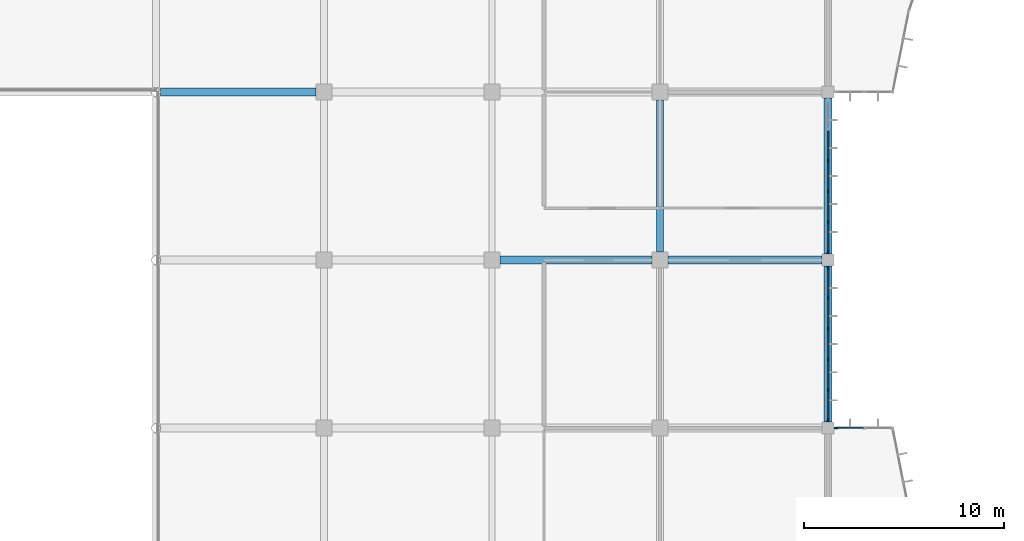
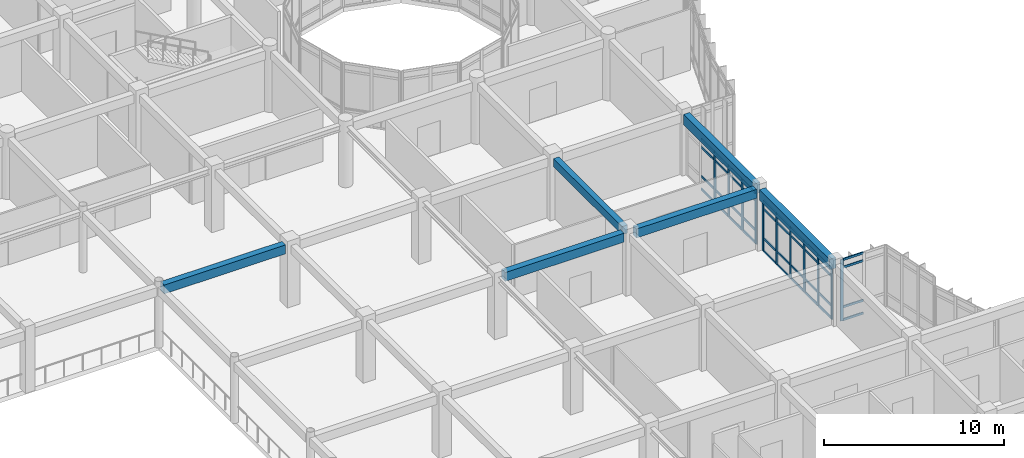
# One storey, part 27 of 144: 51 members, 6 beams, 3 elements without a shape of their own.
"""IFC4 building model written with IfcOpenShell, lengths in metres."""

from ifc_helpers import new_model, si_unit, direction, frame, origin, origin_2d, place, context, subcontext, project, spatial, rectangle, extrude, material, layer, layer_set, material_profile, profile_set, type_object, element, aggregate, save


model = new_model("IFC4")

# Units and contexts
model_context = context("Model", 3, precision=1e-05, world=origin(), true_north=direction((0.0, 1.0)))
body_context = subcontext(model_context, "Body", "Model", "MODEL_VIEW")
ifc_project = project(units=[si_unit("LENGTHUNIT", "METRE"), si_unit("AREAUNIT", "SQUARE_METRE"), si_unit("VOLUMEUNIT", "CUBIC_METRE"), si_unit("PLANEANGLEUNIT", "RADIAN"), si_unit("MASSUNIT", "GRAM", prefix="KILO")], contexts=[model_context])

# Site, building, storey
site_placement = place(None, origin())
site = spatial("IfcSite", under=ifc_project, at=site_placement, CompositionType="ELEMENT")
building_placement = place(site_placement, origin())
building = spatial("IfcBuilding", under=site, at=building_placement, Name="Bramfleet General Hospital", CompositionType="ELEMENT")
storey_placement = place(building_placement, frame((0.0, 0.0, 4.800048828125)))
storey = spatial("IfcBuildingStorey", under=building, at=storey_placement, Name="L01", CompositionType="ELEMENT", Elevation=4.800048828125)

# Beams
ifc_material_1 = material(Name="Concrete C35/45", Category="concrete")
ifc_material_profile_1 = material_profile(ifc_material_1, rectangle(XDim=0.35009765625, YDim=0.550048828125, at=origin_2d()), Name="RC BM 550x350")
ifc_profile_set_1 = profile_set([ifc_material_profile_1], Name="Concrete C35/45")
beam_type_1 = type_object("IfcBeamType", Name="BM-RC550", PredefinedType="BEAM", material=ifc_profile_set_1)
beam_1_placement = place(storey_placement, frame((117.60009765625, 42.39990234375, 3.875), z_axis=(0.0, 1.0, 0.0), x_axis=(-1.0, 0.0, 0.0)))
element("IfcBeam", 1, at=beam_1_placement, inside=storey, type_object=beam_type_1, Name="L01 Grid Beam Y 14-05", PredefinedType="BEAM", context=body_context, shape_type="SweptSolid", body=[
    extrude(rectangle(XDim=0.35009765625, YDim=0.550048828125, at=origin_2d()), origin(), (0.0, 0.0, 1.0), 7.60009765625),
])
ifc_material_profile_2 = material_profile(ifc_material_1, rectangle(XDim=0.39990234375, YDim=0.60009765625, at=origin_2d()), Name="RC BM 600x400")
ifc_profile_set_2 = profile_set([ifc_material_profile_2], Name="Concrete C35/45")
beam_type_2 = type_object("IfcBeamType", Name="BM-RC600", PredefinedType="BEAM", material=ifc_profile_set_2)
beam_2_placement = place(storey_placement, frame((92.62841796875, 50.39990234375, 3.849853515625), z_axis=(1.0, 0.0, 0.0), x_axis=(0.0, 1.0, 0.0)))
element("IfcBeam", 2, at=beam_2_placement, inside=storey, type_object=beam_type_2, Name="L01 Grid Beam X 11-06", PredefinedType="BEAM", context=body_context, shape_type="SweptSolid", body=[
    extrude(rectangle(XDim=0.39990234375, YDim=0.60009765625, at=origin_2d()), origin(), (0.0, 0.0, 1.0), 7.771484375),
])
beam_3_placement = place(storey_placement, frame((109.60009765625, 42.0, 3.849853515625), z_axis=(1.0, 0.0, 0.0), x_axis=(0.0, 1.0, 0.0)))
element("IfcBeam", 3, at=beam_3_placement, inside=storey, type_object=beam_type_2, Name="L01 Grid Beam X 13-05", PredefinedType="BEAM", context=body_context, shape_type="SweptSolid", body=[
    extrude(rectangle(XDim=0.39990234375, YDim=0.60009765625, at=origin_2d()), origin(), (0.0, 0.0, 1.0), 7.599853515625),
])
beam_4_placement = place(storey_placement, frame((118.0, 42.0, 3.849853515625), z_axis=(1.0, 0.0, 0.0), x_axis=(0.0, 1.0, 0.0)))
element("IfcBeam", 4, at=beam_4_placement, inside=storey, type_object=beam_type_2, Name="L01 Grid Beam X 14-05", PredefinedType="BEAM", context=body_context, shape_type="SweptSolid", body=[
    extrude(rectangle(XDim=0.39990234375, YDim=0.60009765625, at=origin_2d()), origin(), (0.0, 0.0, 1.0), 7.699951171875),
])
ifc_material_profile_3 = material_profile(ifc_material_1, rectangle(XDim=0.39990234375, YDim=0.699951171875, at=origin_2d()), Name="RC SP 700x400")
ifc_profile_set_3 = profile_set([ifc_material_profile_3], Name="Concrete C35/45")
beam_type_3 = type_object("IfcBeamType", Name="BM-SP700", PredefinedType="SPANDREL", material=ifc_profile_set_3)
for number, where, z_axis, x_axis, name in (
    (5, (126.0, 33.89990234375, 3.800048828125), (0.0, 1.0, 0.0), (-1.0, 0.0, 0.0), "L01 Grid Beam Y 15-04"),
    (6, (126.0, 42.300048828125, 3.800048828125), (0.0, 1.0, 0.0), (-1.0, 0.0, 0.0), "L01 Grid Beam Y 15-05"),
):
    element("IfcBeam", number, at=place(storey_placement, frame(where, z_axis=z_axis, x_axis=x_axis)), inside=storey, type_object=beam_type_3, Name=name, PredefinedType="SPANDREL", context=body_context, shape_type="SweptSolid", body=[
        extrude(rectangle(XDim=0.39990234375, YDim=0.699951171875, at=origin_2d()), origin(), (0.0, 0.0, 1.0), 7.800048828125),
    ])

# Curtain wall, members
ifc_material_2 = material(Name="Anodised aluminium and low-E triple glazing", Category="aluminium")
ifc_layer_1 = layer(ifc_material_2, 0.179931640625, Name="CWT-CW-09")
ifc_layer_set_1 = layer_set([ifc_layer_1], Name="Anodised aluminium and low-E triple glazing")
curtain_wall_type_1 = type_object("IfcCurtainWallType", Name="CWT-CW-09", PredefinedType="USERDEFINED", material=ifc_layer_set_1)
curtain_wall_1_placement = place(storey_placement, origin())
curtain_wall_1 = element("IfcCurtainWall", 7, at=curtain_wall_1_placement, inside=storey, type_object=curtain_wall_type_1, Name="L01 Curtain Wall 63", ObjectType="Unitised curtain wall", PredefinedType="USERDEFINED")
ifc_material_3 = material(Name="Structural timber GL28h", Category="wood")
ifc_material_profile_4 = material_profile(ifc_material_3, rectangle(XDim=0.070068359375, YDim=0.18994140625, at=origin_2d()), Name="LARCH 190x70")
ifc_profile_set_4 = profile_set([ifc_material_profile_4], Name="Structural timber GL28h")
member_type_1 = type_object("IfcMemberType", Name="CWM-LARCH450", PredefinedType="MULLION", material=ifc_profile_set_4)
member_1_placement = place(storey_placement, frame((126.0, 46.965087890625, 0.0), z_axis=(0.0, 0.0, 1.0), x_axis=(1.0, 0.0, 0.0)))
member_1 = element("IfcMember", 8, at=member_1_placement, type_object=member_type_1, Name="CW-09 mullion 3", PredefinedType="MULLION", context=body_context, shape_type="SweptSolid", body=[
    extrude(rectangle(XDim=0.070068359375, YDim=0.18994140625, at=origin_2d()), origin(), (0.0, 0.0, 1.0), 3.43994140625),
])
member_2_placement = place(storey_placement, frame((126.0, 45.43505859375, 0.0), z_axis=(0.0, 0.0, 1.0), x_axis=(1.0, 0.0, 0.0)))
member_2 = element("IfcMember", 9, at=member_2_placement, type_object=member_type_1, Name="CW-09 mullion 4", PredefinedType="MULLION", context=body_context, shape_type="SweptSolid", body=[
    extrude(rectangle(XDim=0.070068359375, YDim=0.18994140625, at=origin_2d()), origin(), (0.0, 0.0, 1.0), 3.43994140625),
])
member_3_placement = place(storey_placement, frame((126.0, 43.905029296875, 0.0), z_axis=(0.0, 0.0, 1.0), x_axis=(1.0, 0.0, 0.0)))
member_3 = element("IfcMember", 10, at=member_3_placement, type_object=member_type_1, Name="CW-09 mullion 5", PredefinedType="MULLION", context=body_context, shape_type="SweptSolid", body=[
    extrude(rectangle(XDim=0.070068359375, YDim=0.18994140625, at=origin_2d()), origin(), (0.0, 0.0, 1.0), 3.43994140625),
])
member_4_placement = place(storey_placement, frame((126.0, 42.409912109375, 0.0), z_axis=(0.0, 0.0, 1.0), x_axis=(1.0, 0.0, 0.0)))
member_4 = element("IfcMember", 11, at=member_4_placement, type_object=member_type_1, Name="CW-09 mullion 6", PredefinedType="MULLION", context=body_context, shape_type="SweptSolid", body=[
    extrude(rectangle(XDim=0.070068359375, YDim=0.18994140625, at=origin_2d()), origin(), (0.0, 0.0, 1.0), 3.43994140625),
])

ifc_layer_2 = layer(ifc_material_2, 0.179931640625, Name="CWT-CW-10")
ifc_layer_set_2 = layer_set([ifc_layer_2], Name="Anodised aluminium and low-E triple glazing")
curtain_wall_type_2 = type_object("IfcCurtainWallType", Name="CWT-CW-10", PredefinedType="USERDEFINED", material=ifc_layer_set_2)
curtain_wall_2_placement = place(storey_placement, origin())
curtain_wall_2 = element("IfcCurtainWall", 12, at=curtain_wall_2_placement, inside=storey, type_object=curtain_wall_type_2, Name="L01 Curtain Wall 64", ObjectType="Stick curtain wall", PredefinedType="USERDEFINED")
member_5_placement = place(storey_placement, frame((126.0, 41.590087890625, 0.0), z_axis=(0.0, 0.0, 1.0), x_axis=(1.0, 0.0, 0.0)))
member_5 = element("IfcMember", 13, at=member_5_placement, type_object=member_type_1, Name="CW-10 mullion 1", PredefinedType="MULLION", context=body_context, shape_type="SweptSolid", body=[
    extrude(rectangle(XDim=0.070068359375, YDim=0.18994140625, at=origin_2d()), origin(), (0.0, 0.0, 1.0), 3.43994140625),
])
member_6_placement = place(storey_placement, frame((126.0, 40.094970703125, 0.0), z_axis=(0.0, 0.0, 1.0), x_axis=(1.0, 0.0, 0.0)))
member_6 = element("IfcMember", 14, at=member_6_placement, type_object=member_type_1, Name="CW-10 mullion 2", PredefinedType="MULLION", context=body_context, shape_type="SweptSolid", body=[
    extrude(rectangle(XDim=0.070068359375, YDim=0.18994140625, at=origin_2d()), origin(), (0.0, 0.0, 1.0), 3.43994140625),
])
member_7_placement = place(storey_placement, frame((126.0, 38.56494140625, 0.0), z_axis=(0.0, 0.0, 1.0), x_axis=(1.0, 0.0, 0.0)))
member_7 = element("IfcMember", 15, at=member_7_placement, type_object=member_type_1, Name="CW-10 mullion 3", PredefinedType="MULLION", context=body_context, shape_type="SweptSolid", body=[
    extrude(rectangle(XDim=0.070068359375, YDim=0.18994140625, at=origin_2d()), origin(), (0.0, 0.0, 1.0), 3.43994140625),
])
member_8_placement = place(storey_placement, frame((126.0, 37.034912109375, 0.0), z_axis=(0.0, 0.0, 1.0), x_axis=(1.0, 0.0, 0.0)))
member_8 = element("IfcMember", 16, at=member_8_placement, type_object=member_type_1, Name="CW-10 mullion 4", PredefinedType="MULLION", context=body_context, shape_type="SweptSolid", body=[
    extrude(rectangle(XDim=0.070068359375, YDim=0.18994140625, at=origin_2d()), origin(), (0.0, 0.0, 1.0), 3.43994140625),
])
member_9_placement = place(storey_placement, frame((126.0, 35.5048828125, 0.0), z_axis=(0.0, 0.0, 1.0), x_axis=(1.0, 0.0, 0.0)))
member_9 = element("IfcMember", 17, at=member_9_placement, type_object=member_type_1, Name="CW-10 mullion 5", PredefinedType="MULLION", context=body_context, shape_type="SweptSolid", body=[
    extrude(rectangle(XDim=0.070068359375, YDim=0.18994140625, at=origin_2d()), origin(), (0.0, 0.0, 1.0), 3.43994140625),
])
member_10_placement = place(storey_placement, frame((126.0, 34.010009765625, 0.0), z_axis=(0.0, 0.0, 1.0), x_axis=(1.0, 0.0, 0.0)))
member_10 = element("IfcMember", 18, at=member_10_placement, type_object=member_type_1, Name="CW-10 mullion 6", PredefinedType="MULLION", context=body_context, shape_type="SweptSolid", body=[
    extrude(rectangle(XDim=0.070068359375, YDim=0.18994140625, at=origin_2d()), origin(), (0.0, 0.0, 1.0), 3.43994140625),
])

# Curtain wall, member
ifc_layer_3 = layer(ifc_material_2, 0.179931640625, Name="CWT-CW-11")
ifc_layer_set_3 = layer_set([ifc_layer_3], Name="Anodised aluminium and low-E triple glazing")
curtain_wall_type_3 = type_object("IfcCurtainWallType", Name="CWT-CW-11", PredefinedType="USERDEFINED", material=ifc_layer_set_3)
curtain_wall_3_placement = place(storey_placement, origin())
curtain_wall_3 = element("IfcCurtainWall", 19, at=curtain_wall_3_placement, inside=storey, type_object=curtain_wall_type_3, Name="L01 Curtain Wall 65", ObjectType="Stick curtain wall", PredefinedType="USERDEFINED")
member_11_placement = place(storey_placement, frame((126.409912109375, 33.60009765625, 0.0), z_axis=(0.0, 0.0, 1.0), x_axis=(0.0, 1.0, 0.0)))
member_11 = element("IfcMember", 20, at=member_11_placement, type_object=member_type_1, Name="CW-11 mullion 1", PredefinedType="MULLION", context=body_context, shape_type="SweptSolid", body=[
    extrude(rectangle(XDim=0.070068359375, YDim=0.18994140625, at=origin_2d()), origin(), (0.0, 0.0, 1.0), 4.139892578125),
])

# Member
ifc_material_profile_5 = material_profile(ifc_material_3, rectangle(XDim=0.06494140625, YDim=0.14990234375, at=origin_2d()), Name="LARCH 150x65")
ifc_profile_set_5 = profile_set([ifc_material_profile_5], Name="Structural timber GL28h")
member_type_2 = type_object("IfcMemberType", Name="CWT-LARCH220", PredefinedType="USERDEFINED", material=ifc_profile_set_5)
member_12_placement = place(storey_placement, frame((126.0, 48.4599609375, 0.032470703125), z_axis=(0.0, -1.0, 0.0), x_axis=(1.0, 0.0, 0.0)))
member_12 = element("IfcMember", 21, at=member_12_placement, type_object=member_type_2, Name="CW-09 transom 2.1", ObjectType="TRANSOM", PredefinedType="USERDEFINED", context=body_context, shape_type="SweptSolid", body=[
    extrude(rectangle(XDim=0.06494140625, YDim=0.14990234375, at=origin_2d()), origin(), (0.0, 0.0, 1.0), 1.4599609375),
])

member_13_placement = place(storey_placement, frame((126.0, 48.4599609375, 0.89990234375), z_axis=(0.0, -1.0, 0.0), x_axis=(1.0, 0.0, 0.0)))
member_13 = element("IfcMember", 22, at=member_13_placement, type_object=member_type_2, Name="CW-09 transom 2.2", ObjectType="TRANSOM", PredefinedType="USERDEFINED", context=body_context, shape_type="SweptSolid", body=[
    extrude(rectangle(XDim=0.06494140625, YDim=0.14990234375, at=origin_2d()), origin(), (0.0, 0.0, 1.0), 1.4599609375),
])

member_14_placement = place(storey_placement, frame((126.0, 48.4599609375, 2.889892578125), z_axis=(0.0, -1.0, 0.0), x_axis=(1.0, 0.0, 0.0)))
member_14 = element("IfcMember", 23, at=member_14_placement, type_object=member_type_2, Name="CW-09 transom 2.3", ObjectType="TRANSOM", PredefinedType="USERDEFINED", context=body_context, shape_type="SweptSolid", body=[
    extrude(rectangle(XDim=0.06494140625, YDim=0.14990234375, at=origin_2d()), origin(), (0.0, 0.0, 1.0), 1.4599609375),
])

member_15_placement = place(storey_placement, frame((126.0, 48.4599609375, 3.407470703125), z_axis=(0.0, -1.0, 0.0), x_axis=(1.0, 0.0, 0.0)))
member_15 = element("IfcMember", 24, at=member_15_placement, type_object=member_type_2, Name="CW-09 transom 2.4", ObjectType="TRANSOM", PredefinedType="USERDEFINED", context=body_context, shape_type="SweptSolid", body=[
    extrude(rectangle(XDim=0.06494140625, YDim=0.14990234375, at=origin_2d()), origin(), (0.0, 0.0, 1.0), 1.4599609375),
])

member_16_placement = place(storey_placement, frame((126.0, 46.929931640625, 0.032470703125), z_axis=(0.0, -1.0, 0.0), x_axis=(1.0, 0.0, 0.0)))
member_16 = element("IfcMember", 25, at=member_16_placement, type_object=member_type_2, Name="CW-09 transom 3.1", ObjectType="TRANSOM", PredefinedType="USERDEFINED", context=body_context, shape_type="SweptSolid", body=[
    extrude(rectangle(XDim=0.06494140625, YDim=0.14990234375, at=origin_2d()), origin(), (0.0, 0.0, 1.0), 1.4599609375),
])

member_17_placement = place(storey_placement, frame((126.0, 46.929931640625, 0.89990234375), z_axis=(0.0, -1.0, 0.0), x_axis=(1.0, 0.0, 0.0)))
member_17 = element("IfcMember", 26, at=member_17_placement, type_object=member_type_2, Name="CW-09 transom 3.2", ObjectType="TRANSOM", PredefinedType="USERDEFINED", context=body_context, shape_type="SweptSolid", body=[
    extrude(rectangle(XDim=0.06494140625, YDim=0.14990234375, at=origin_2d()), origin(), (0.0, 0.0, 1.0), 1.4599609375),
])

member_18_placement = place(storey_placement, frame((126.0, 46.929931640625, 2.889892578125), z_axis=(0.0, -1.0, 0.0), x_axis=(1.0, 0.0, 0.0)))
member_18 = element("IfcMember", 27, at=member_18_placement, type_object=member_type_2, Name="CW-09 transom 3.3", ObjectType="TRANSOM", PredefinedType="USERDEFINED", context=body_context, shape_type="SweptSolid", body=[
    extrude(rectangle(XDim=0.06494140625, YDim=0.14990234375, at=origin_2d()), origin(), (0.0, 0.0, 1.0), 1.4599609375),
])

member_19_placement = place(storey_placement, frame((126.0, 46.929931640625, 3.407470703125), z_axis=(0.0, -1.0, 0.0), x_axis=(1.0, 0.0, 0.0)))
member_19 = element("IfcMember", 28, at=member_19_placement, type_object=member_type_2, Name="CW-09 transom 3.4", ObjectType="TRANSOM", PredefinedType="USERDEFINED", context=body_context, shape_type="SweptSolid", body=[
    extrude(rectangle(XDim=0.06494140625, YDim=0.14990234375, at=origin_2d()), origin(), (0.0, 0.0, 1.0), 1.4599609375),
])

member_20_placement = place(storey_placement, frame((126.0, 45.39990234375, 0.032470703125), z_axis=(0.0, -1.0, 0.0), x_axis=(1.0, 0.0, 0.0)))
member_20 = element("IfcMember", 29, at=member_20_placement, type_object=member_type_2, Name="CW-09 transom 4.1", ObjectType="TRANSOM", PredefinedType="USERDEFINED", context=body_context, shape_type="SweptSolid", body=[
    extrude(rectangle(XDim=0.06494140625, YDim=0.14990234375, at=origin_2d()), origin(), (0.0, 0.0, 1.0), 1.4599609375),
])

member_21_placement = place(storey_placement, frame((126.0, 45.39990234375, 0.89990234375), z_axis=(0.0, -1.0, 0.0), x_axis=(1.0, 0.0, 0.0)))
member_21 = element("IfcMember", 30, at=member_21_placement, type_object=member_type_2, Name="CW-09 transom 4.2", ObjectType="TRANSOM", PredefinedType="USERDEFINED", context=body_context, shape_type="SweptSolid", body=[
    extrude(rectangle(XDim=0.06494140625, YDim=0.14990234375, at=origin_2d()), origin(), (0.0, 0.0, 1.0), 1.4599609375),
])

member_22_placement = place(storey_placement, frame((126.0, 45.39990234375, 2.889892578125), z_axis=(0.0, -1.0, 0.0), x_axis=(1.0, 0.0, 0.0)))
member_22 = element("IfcMember", 31, at=member_22_placement, type_object=member_type_2, Name="CW-09 transom 4.3", ObjectType="TRANSOM", PredefinedType="USERDEFINED", context=body_context, shape_type="SweptSolid", body=[
    extrude(rectangle(XDim=0.06494140625, YDim=0.14990234375, at=origin_2d()), origin(), (0.0, 0.0, 1.0), 1.4599609375),
])

member_23_placement = place(storey_placement, frame((126.0, 45.39990234375, 3.407470703125), z_axis=(0.0, -1.0, 0.0), x_axis=(1.0, 0.0, 0.0)))
member_23 = element("IfcMember", 32, at=member_23_placement, type_object=member_type_2, Name="CW-09 transom 4.4", ObjectType="TRANSOM", PredefinedType="USERDEFINED", context=body_context, shape_type="SweptSolid", body=[
    extrude(rectangle(XDim=0.06494140625, YDim=0.14990234375, at=origin_2d()), origin(), (0.0, 0.0, 1.0), 1.4599609375),
])

member_24_placement = place(storey_placement, frame((126.0, 43.8701171875, 0.032470703125), z_axis=(0.0, -1.0, 0.0), x_axis=(1.0, 0.0, 0.0)))
member_24 = element("IfcMember", 33, at=member_24_placement, type_object=member_type_2, Name="CW-09 transom 5.1", ObjectType="TRANSOM", PredefinedType="USERDEFINED", context=body_context, shape_type="SweptSolid", body=[
    extrude(rectangle(XDim=0.06494140625, YDim=0.14990234375, at=origin_2d()), origin(), (0.0, 0.0, 1.0), 1.425048828125),
])

member_25_placement = place(storey_placement, frame((126.0, 43.8701171875, 0.89990234375), z_axis=(0.0, -1.0, 0.0), x_axis=(1.0, 0.0, 0.0)))
member_25 = element("IfcMember", 34, at=member_25_placement, type_object=member_type_2, Name="CW-09 transom 5.2", ObjectType="TRANSOM", PredefinedType="USERDEFINED", context=body_context, shape_type="SweptSolid", body=[
    extrude(rectangle(XDim=0.06494140625, YDim=0.14990234375, at=origin_2d()), origin(), (0.0, 0.0, 1.0), 1.425048828125),
])

member_26_placement = place(storey_placement, frame((126.0, 43.8701171875, 2.889892578125), z_axis=(0.0, -1.0, 0.0), x_axis=(1.0, 0.0, 0.0)))
member_26 = element("IfcMember", 35, at=member_26_placement, type_object=member_type_2, Name="CW-09 transom 5.3", ObjectType="TRANSOM", PredefinedType="USERDEFINED", context=body_context, shape_type="SweptSolid", body=[
    extrude(rectangle(XDim=0.06494140625, YDim=0.14990234375, at=origin_2d()), origin(), (0.0, 0.0, 1.0), 1.425048828125),
])

member_27_placement = place(storey_placement, frame((126.0, 43.8701171875, 3.407470703125), z_axis=(0.0, -1.0, 0.0), x_axis=(1.0, 0.0, 0.0)))
member_27 = element("IfcMember", 36, at=member_27_placement, type_object=member_type_2, Name="CW-09 transom 5.4", ObjectType="TRANSOM", PredefinedType="USERDEFINED", context=body_context, shape_type="SweptSolid", body=[
    extrude(rectangle(XDim=0.06494140625, YDim=0.14990234375, at=origin_2d()), origin(), (0.0, 0.0, 1.0), 1.425048828125),
])

aggregate(curtain_wall_1, [member_1, member_2, member_3, member_4, member_12, member_13, member_14, member_15, member_16, member_17, member_18, member_19, member_20, member_21, member_22, member_23, member_24, member_25, member_26, member_27])

member_28_placement = place(storey_placement, frame((126.0, 41.554931640625, 0.032470703125), z_axis=(0.0, -1.0, 0.0), x_axis=(1.0, 0.0, 0.0)))
member_28 = element("IfcMember", 37, at=member_28_placement, type_object=member_type_2, Name="CW-10 transom 1.1", ObjectType="TRANSOM", PredefinedType="USERDEFINED", context=body_context, shape_type="SweptSolid", body=[
    extrude(rectangle(XDim=0.06494140625, YDim=0.14990234375, at=origin_2d()), origin(), (0.0, 0.0, 1.0), 1.425048828125),
])

member_29_placement = place(storey_placement, frame((126.0, 41.554931640625, 0.89990234375), z_axis=(0.0, -1.0, 0.0), x_axis=(1.0, 0.0, 0.0)))
member_29 = element("IfcMember", 38, at=member_29_placement, type_object=member_type_2, Name="CW-10 transom 1.2", ObjectType="TRANSOM", PredefinedType="USERDEFINED", context=body_context, shape_type="SweptSolid", body=[
    extrude(rectangle(XDim=0.06494140625, YDim=0.14990234375, at=origin_2d()), origin(), (0.0, 0.0, 1.0), 1.425048828125),
])

member_30_placement = place(storey_placement, frame((126.0, 41.554931640625, 2.889892578125), z_axis=(0.0, -1.0, 0.0), x_axis=(1.0, 0.0, 0.0)))
member_30 = element("IfcMember", 39, at=member_30_placement, type_object=member_type_2, Name="CW-10 transom 1.3", ObjectType="TRANSOM", PredefinedType="USERDEFINED", context=body_context, shape_type="SweptSolid", body=[
    extrude(rectangle(XDim=0.06494140625, YDim=0.14990234375, at=origin_2d()), origin(), (0.0, 0.0, 1.0), 1.425048828125),
])

member_31_placement = place(storey_placement, frame((126.0, 41.554931640625, 3.407470703125), z_axis=(0.0, -1.0, 0.0), x_axis=(1.0, 0.0, 0.0)))
member_31 = element("IfcMember", 40, at=member_31_placement, type_object=member_type_2, Name="CW-10 transom 1.4", ObjectType="TRANSOM", PredefinedType="USERDEFINED", context=body_context, shape_type="SweptSolid", body=[
    extrude(rectangle(XDim=0.06494140625, YDim=0.14990234375, at=origin_2d()), origin(), (0.0, 0.0, 1.0), 1.425048828125),
])

member_32_placement = place(storey_placement, frame((126.0, 40.06005859375, 0.032470703125), z_axis=(0.0, -1.0, 0.0), x_axis=(1.0, 0.0, 0.0)))
member_32 = element("IfcMember", 41, at=member_32_placement, type_object=member_type_2, Name="CW-10 transom 2.1", ObjectType="TRANSOM", PredefinedType="USERDEFINED", context=body_context, shape_type="SweptSolid", body=[
    extrude(rectangle(XDim=0.06494140625, YDim=0.14990234375, at=origin_2d()), origin(), (0.0, 0.0, 1.0), 1.4599609375),
])

member_33_placement = place(storey_placement, frame((126.0, 40.06005859375, 0.89990234375), z_axis=(0.0, -1.0, 0.0), x_axis=(1.0, 0.0, 0.0)))
member_33 = element("IfcMember", 42, at=member_33_placement, type_object=member_type_2, Name="CW-10 transom 2.2", ObjectType="TRANSOM", PredefinedType="USERDEFINED", context=body_context, shape_type="SweptSolid", body=[
    extrude(rectangle(XDim=0.06494140625, YDim=0.14990234375, at=origin_2d()), origin(), (0.0, 0.0, 1.0), 1.4599609375),
])

member_34_placement = place(storey_placement, frame((126.0, 40.06005859375, 2.889892578125), z_axis=(0.0, -1.0, 0.0), x_axis=(1.0, 0.0, 0.0)))
member_34 = element("IfcMember", 43, at=member_34_placement, type_object=member_type_2, Name="CW-10 transom 2.3", ObjectType="TRANSOM", PredefinedType="USERDEFINED", context=body_context, shape_type="SweptSolid", body=[
    extrude(rectangle(XDim=0.06494140625, YDim=0.14990234375, at=origin_2d()), origin(), (0.0, 0.0, 1.0), 1.4599609375),
])

member_35_placement = place(storey_placement, frame((126.0, 40.06005859375, 3.407470703125), z_axis=(0.0, -1.0, 0.0), x_axis=(1.0, 0.0, 0.0)))
member_35 = element("IfcMember", 44, at=member_35_placement, type_object=member_type_2, Name="CW-10 transom 2.4", ObjectType="TRANSOM", PredefinedType="USERDEFINED", context=body_context, shape_type="SweptSolid", body=[
    extrude(rectangle(XDim=0.06494140625, YDim=0.14990234375, at=origin_2d()), origin(), (0.0, 0.0, 1.0), 1.4599609375),
])

member_36_placement = place(storey_placement, frame((126.0, 38.530029296875, 0.032470703125), z_axis=(0.0, -1.0, 0.0), x_axis=(1.0, 0.0, 0.0)))
member_36 = element("IfcMember", 45, at=member_36_placement, type_object=member_type_2, Name="CW-10 transom 3.1", ObjectType="TRANSOM", PredefinedType="USERDEFINED", context=body_context, shape_type="SweptSolid", body=[
    extrude(rectangle(XDim=0.06494140625, YDim=0.14990234375, at=origin_2d()), origin(), (0.0, 0.0, 1.0), 1.4599609375),
])

member_37_placement = place(storey_placement, frame((126.0, 38.530029296875, 0.89990234375), z_axis=(0.0, -1.0, 0.0), x_axis=(1.0, 0.0, 0.0)))
member_37 = element("IfcMember", 46, at=member_37_placement, type_object=member_type_2, Name="CW-10 transom 3.2", ObjectType="TRANSOM", PredefinedType="USERDEFINED", context=body_context, shape_type="SweptSolid", body=[
    extrude(rectangle(XDim=0.06494140625, YDim=0.14990234375, at=origin_2d()), origin(), (0.0, 0.0, 1.0), 1.4599609375),
])

member_38_placement = place(storey_placement, frame((126.0, 38.530029296875, 2.889892578125), z_axis=(0.0, -1.0, 0.0), x_axis=(1.0, 0.0, 0.0)))
member_38 = element("IfcMember", 47, at=member_38_placement, type_object=member_type_2, Name="CW-10 transom 3.3", ObjectType="TRANSOM", PredefinedType="USERDEFINED", context=body_context, shape_type="SweptSolid", body=[
    extrude(rectangle(XDim=0.06494140625, YDim=0.14990234375, at=origin_2d()), origin(), (0.0, 0.0, 1.0), 1.4599609375),
])

member_39_placement = place(storey_placement, frame((126.0, 38.530029296875, 3.407470703125), z_axis=(0.0, -1.0, 0.0), x_axis=(1.0, 0.0, 0.0)))
member_39 = element("IfcMember", 48, at=member_39_placement, type_object=member_type_2, Name="CW-10 transom 3.4", ObjectType="TRANSOM", PredefinedType="USERDEFINED", context=body_context, shape_type="SweptSolid", body=[
    extrude(rectangle(XDim=0.06494140625, YDim=0.14990234375, at=origin_2d()), origin(), (0.0, 0.0, 1.0), 1.4599609375),
])

member_40_placement = place(storey_placement, frame((126.0, 37.0, 0.032470703125), z_axis=(0.0, -1.0, 0.0), x_axis=(1.0, 0.0, 0.0)))
member_40 = element("IfcMember", 49, at=member_40_placement, type_object=member_type_2, Name="CW-10 transom 4.1", ObjectType="TRANSOM", PredefinedType="USERDEFINED", context=body_context, shape_type="SweptSolid", body=[
    extrude(rectangle(XDim=0.06494140625, YDim=0.14990234375, at=origin_2d()), origin(), (0.0, 0.0, 1.0), 1.4599609375),
])

member_41_placement = place(storey_placement, frame((126.0, 37.0, 0.89990234375), z_axis=(0.0, -1.0, 0.0), x_axis=(1.0, 0.0, 0.0)))
member_41 = element("IfcMember", 50, at=member_41_placement, type_object=member_type_2, Name="CW-10 transom 4.2", ObjectType="TRANSOM", PredefinedType="USERDEFINED", context=body_context, shape_type="SweptSolid", body=[
    extrude(rectangle(XDim=0.06494140625, YDim=0.14990234375, at=origin_2d()), origin(), (0.0, 0.0, 1.0), 1.4599609375),
])

member_42_placement = place(storey_placement, frame((126.0, 37.0, 2.889892578125), z_axis=(0.0, -1.0, 0.0), x_axis=(1.0, 0.0, 0.0)))
member_42 = element("IfcMember", 51, at=member_42_placement, type_object=member_type_2, Name="CW-10 transom 4.3", ObjectType="TRANSOM", PredefinedType="USERDEFINED", context=body_context, shape_type="SweptSolid", body=[
    extrude(rectangle(XDim=0.06494140625, YDim=0.14990234375, at=origin_2d()), origin(), (0.0, 0.0, 1.0), 1.4599609375),
])

member_43_placement = place(storey_placement, frame((126.0, 37.0, 3.407470703125), z_axis=(0.0, -1.0, 0.0), x_axis=(1.0, 0.0, 0.0)))
member_43 = element("IfcMember", 52, at=member_43_placement, type_object=member_type_2, Name="CW-10 transom 4.4", ObjectType="TRANSOM", PredefinedType="USERDEFINED", context=body_context, shape_type="SweptSolid", body=[
    extrude(rectangle(XDim=0.06494140625, YDim=0.14990234375, at=origin_2d()), origin(), (0.0, 0.0, 1.0), 1.4599609375),
])

member_44_placement = place(storey_placement, frame((126.0, 35.469970703125, 0.032470703125), z_axis=(0.0, -1.0, 0.0), x_axis=(1.0, 0.0, 0.0)))
member_44 = element("IfcMember", 53, at=member_44_placement, type_object=member_type_2, Name="CW-10 transom 5.1", ObjectType="TRANSOM", PredefinedType="USERDEFINED", context=body_context, shape_type="SweptSolid", body=[
    extrude(rectangle(XDim=0.06494140625, YDim=0.14990234375, at=origin_2d()), origin(), (0.0, 0.0, 1.0), 1.425048828125),
])

member_45_placement = place(storey_placement, frame((126.0, 35.469970703125, 0.89990234375), z_axis=(0.0, -1.0, 0.0), x_axis=(1.0, 0.0, 0.0)))
member_45 = element("IfcMember", 54, at=member_45_placement, type_object=member_type_2, Name="CW-10 transom 5.2", ObjectType="TRANSOM", PredefinedType="USERDEFINED", context=body_context, shape_type="SweptSolid", body=[
    extrude(rectangle(XDim=0.06494140625, YDim=0.14990234375, at=origin_2d()), origin(), (0.0, 0.0, 1.0), 1.425048828125),
])

member_46_placement = place(storey_placement, frame((126.0, 35.469970703125, 2.889892578125), z_axis=(0.0, -1.0, 0.0), x_axis=(1.0, 0.0, 0.0)))
member_46 = element("IfcMember", 55, at=member_46_placement, type_object=member_type_2, Name="CW-10 transom 5.3", ObjectType="TRANSOM", PredefinedType="USERDEFINED", context=body_context, shape_type="SweptSolid", body=[
    extrude(rectangle(XDim=0.06494140625, YDim=0.14990234375, at=origin_2d()), origin(), (0.0, 0.0, 1.0), 1.425048828125),
])

member_47_placement = place(storey_placement, frame((126.0, 35.469970703125, 3.407470703125), z_axis=(0.0, -1.0, 0.0), x_axis=(1.0, 0.0, 0.0)))
member_47 = element("IfcMember", 56, at=member_47_placement, type_object=member_type_2, Name="CW-10 transom 5.4", ObjectType="TRANSOM", PredefinedType="USERDEFINED", context=body_context, shape_type="SweptSolid", body=[
    extrude(rectangle(XDim=0.06494140625, YDim=0.14990234375, at=origin_2d()), origin(), (0.0, 0.0, 1.0), 1.425048828125),
])

aggregate(curtain_wall_2, [member_5, member_6, member_7, member_8, member_9, member_10, member_28, member_29, member_30, member_31, member_32, member_33, member_34, member_35, member_36, member_37, member_38, member_39, member_40, member_41, member_42, member_43, member_44, member_45, member_46, member_47])

member_48_placement = place(storey_placement, frame((126.445068359375, 33.60009765625, 0.032470703125), z_axis=(1.0, 0.0, 0.0), x_axis=(0.0, 1.0, 0.0)))
member_48 = element("IfcMember", 57, at=member_48_placement, type_object=member_type_2, Name="CW-11 transom 1.1", ObjectType="TRANSOM", PredefinedType="USERDEFINED", context=body_context, shape_type="SweptSolid", body=[
    extrude(rectangle(XDim=0.06494140625, YDim=0.14990234375, at=origin_2d()), origin(), (0.0, 0.0, 1.0), 1.324951171875),
])

member_49_placement = place(storey_placement, frame((126.445068359375, 33.60009765625, 0.89990234375), z_axis=(1.0, 0.0, 0.0), x_axis=(0.0, 1.0, 0.0)))
member_49 = element("IfcMember", 58, at=member_49_placement, type_object=member_type_2, Name="CW-11 transom 1.2", ObjectType="TRANSOM", PredefinedType="USERDEFINED", context=body_context, shape_type="SweptSolid", body=[
    extrude(rectangle(XDim=0.06494140625, YDim=0.14990234375, at=origin_2d()), origin(), (0.0, 0.0, 1.0), 1.324951171875),
])

member_50_placement = place(storey_placement, frame((126.445068359375, 33.60009765625, 3.58984375), z_axis=(1.0, 0.0, 0.0), x_axis=(0.0, 1.0, 0.0)))
member_50 = element("IfcMember", 59, at=member_50_placement, type_object=member_type_2, Name="CW-11 transom 1.3", ObjectType="TRANSOM", PredefinedType="USERDEFINED", context=body_context, shape_type="SweptSolid", body=[
    extrude(rectangle(XDim=0.06494140625, YDim=0.14990234375, at=origin_2d()), origin(), (0.0, 0.0, 1.0), 1.324951171875),
])

member_51_placement = place(storey_placement, frame((126.445068359375, 33.60009765625, 4.107421875), z_axis=(1.0, 0.0, 0.0), x_axis=(0.0, 1.0, 0.0)))
member_51 = element("IfcMember", 60, at=member_51_placement, type_object=member_type_2, Name="CW-11 transom 1.4", ObjectType="TRANSOM", PredefinedType="USERDEFINED", context=body_context, shape_type="SweptSolid", body=[
    extrude(rectangle(XDim=0.06494140625, YDim=0.14990234375, at=origin_2d()), origin(), (0.0, 0.0, 1.0), 1.324951171875),
])

aggregate(curtain_wall_3, [member_11, member_48, member_49, member_50, member_51])

save(model, "model.ifc")
